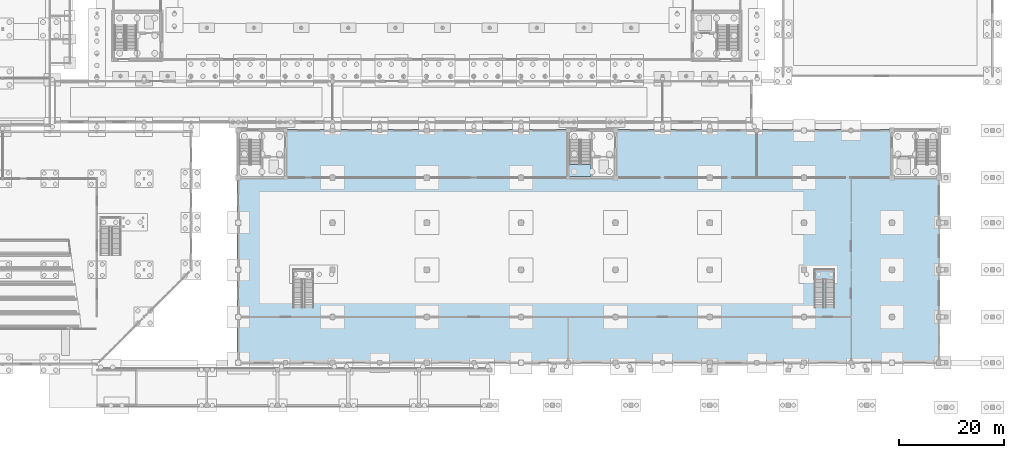
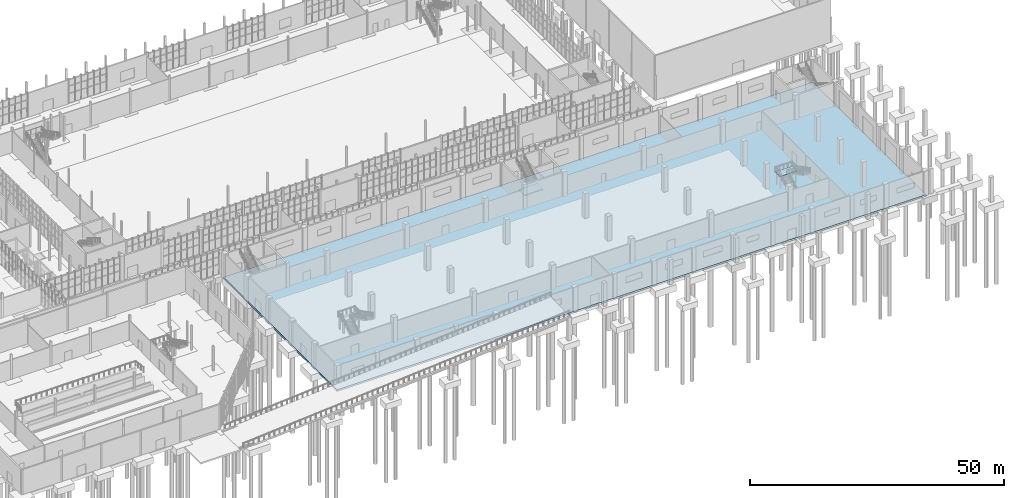
# One storey, part 89 of 131: 3 slabs, 2 elements without a shape of their own.
"""IFC4 building model written with IfcOpenShell, lengths in metres."""

from ifc_helpers import new_model, si_unit, direction, frame, origin, place, context, subcontext, project, spatial, polyline, outline, extrude, material, layer, layer_set, type_object, element, aggregate, save


model = new_model("IFC4")

# Units and contexts
model_context = context("Model", 3, precision=1e-05, world=origin(), true_north=direction((0.0, 1.0)))
body_context = subcontext(model_context, "Body", "Model", "MODEL_VIEW")
ifc_project = project(units=[si_unit("LENGTHUNIT", "METRE"), si_unit("AREAUNIT", "SQUARE_METRE"), si_unit("VOLUMEUNIT", "CUBIC_METRE"), si_unit("PLANEANGLEUNIT", "RADIAN"), si_unit("MASSUNIT", "GRAM", prefix="KILO")], contexts=[model_context])

# Site, building, storey
site_placement = place(None, origin())
site = spatial("IfcSite", under=ifc_project, at=site_placement, CompositionType="ELEMENT")
building_placement = place(site_placement, origin())
building = spatial("IfcBuilding", under=site, at=building_placement, Name="Cazmaro Siding Exhibition Halls", CompositionType="ELEMENT")
storey_placement = place(building_placement, origin())
storey = spatial("IfcBuildingStorey", under=building, at=storey_placement, Name="L00", CompositionType="ELEMENT", Elevation=0.0)

# Slab
ifc_material_1 = material(Name="Concrete f'c 35 MPa", Category="concrete")
ifc_layer_1 = layer(ifc_material_1, 0.449951171875)
ifc_layer_set_1 = layer_set([ifc_layer_1], Name="Concrete f'c 35 MPa")
slab_type_1 = type_object("IfcSlabType", Name="BS-02", PredefinedType="BASESLAB", material=ifc_layer_set_1)
slab_1_placement = place(storey_placement, frame((0.0, 0.0, -0.449951171875)))
element("IfcSlab", 1, at=slab_1_placement, inside=storey, type_object=slab_type_1, Name="Heavy Hall B1 base slab BS-02 SLB-0005", PredefinedType="BASESLAB", context=body_context, shape_type="SweptSolid", body=[
    extrude(outline(polyline([(71.800048828125, 9.050048828125), (206.0, 9.050048828125), (206.0, 53.800048828125), (71.800048828125, 53.800048828125), (71.800048828125, 9.050048828125)])), origin(), (0.0, 0.0, 1.0), 0.449951171875),
])

# Stair, slab
ifc_material_2 = material(Name="Concrete f'c 40 MPa", Category="concrete")
stair_type_1 = type_object("IfcStairType", Name="STT-07", PredefinedType="TWO_STRAIGHT_RUN_STAIR", material=ifc_material_2)
stair_1_placement = place(storey_placement, origin())
stair_1 = element("IfcStair", 2, at=stair_1_placement, inside=storey, type_object=stair_type_1, Name="Core C4 Exit Stair L00-L01 ST-07", PredefinedType="TWO_STRAIGHT_RUN_STAIR")
ifc_material_3 = material(Name="Concrete f'c 40 MPa", Category="concrete")
ifc_layer_2 = layer(ifc_material_3, 0.199951171875)
ifc_layer_set_2 = layer_set([ifc_layer_2], Name="Concrete f'c 40 MPa")
slab_type_2 = type_object("IfcSlabType", Name="LND-07", PredefinedType="LANDING", material=ifc_layer_set_2)
slab_2_placement = place(storey_placement, frame((0.0, 0.0, 2.800048828125)))
slab_2 = element("IfcSlab", 3, at=slab_2_placement, type_object=slab_type_2, Name="ST-07 landing 1", PredefinedType="LANDING", context=body_context, shape_type="SweptSolid", body=[
    extrude(outline(polyline([(135.175048828125, 44.77490234375), (139.3798828125, 44.77490234375), (139.3798828125, 47.10009765625), (135.175048828125, 47.10009765625), (135.175048828125, 44.77490234375)])), origin(), (0.0, 0.0, 1.0), 0.199951171875),
])
aggregate(stair_1, [slab_2])

ifc_material_4 = material(Name="Steel ASTM A992 Grade 50 Stringers with Precast Treads", Category="concrete")
stair_type_2 = type_object("IfcStairType", Name="STT-29", PredefinedType="TWO_STRAIGHT_RUN_STAIR", material=ifc_material_4)
stair_2_placement = place(storey_placement, origin())
stair_2 = element("IfcStair", 4, at=stair_2_placement, inside=storey, type_object=stair_type_2, Name="Hall B1 East Mezzanine Feature Stair ST-29", PredefinedType="TWO_STRAIGHT_RUN_STAIR")
ifc_material_5 = material(Name="Concrete f'c 40 MPa", Category="concrete")
ifc_layer_3 = layer(ifc_material_5, 0.199951171875)
ifc_layer_set_3 = layer_set([ifc_layer_3], Name="Concrete f'c 40 MPa")
slab_type_3 = type_object("IfcSlabType", Name="LND-29", PredefinedType="LANDING", material=ifc_layer_set_3)
slab_3_placement = place(storey_placement, frame((0.0, 0.0, 2.800048828125)))
slab_3 = element("IfcSlab", 5, at=slab_3_placement, type_object=slab_type_3, Name="ST-29 landing 1", PredefinedType="LANDING", context=body_context, shape_type="SweptSolid", body=[
    extrude(outline(polyline([(182.0, 25.199951171875), (185.85009765625, 25.199951171875), (185.85009765625, 27.080078125), (182.0, 27.080078125), (182.0, 25.199951171875)])), origin(), (0.0, 0.0, 1.0), 0.199951171875),
])
aggregate(stair_2, [slab_3])

save(model, "model.ifc")
